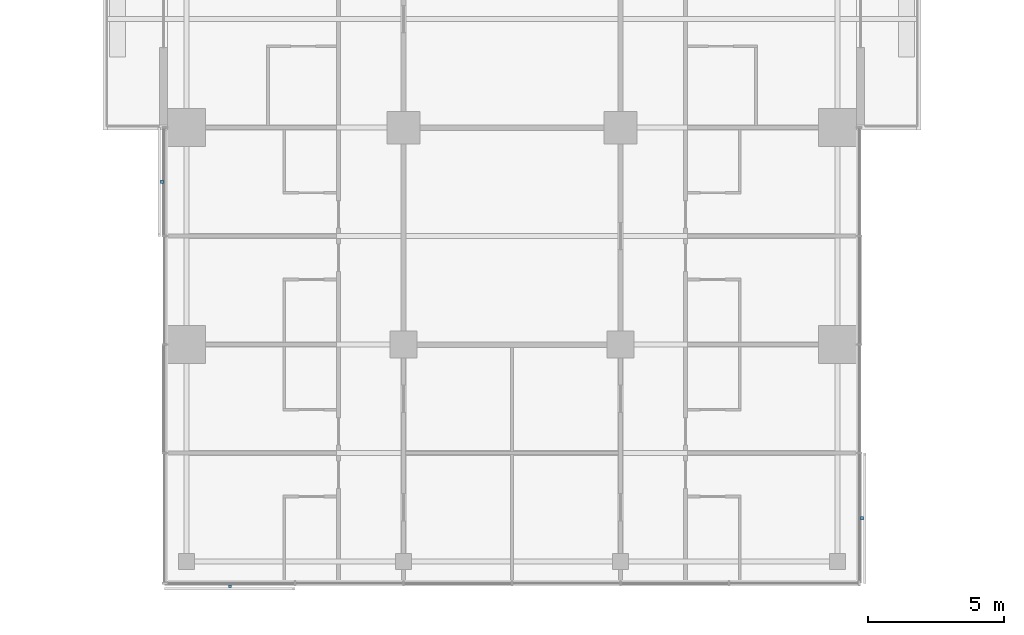
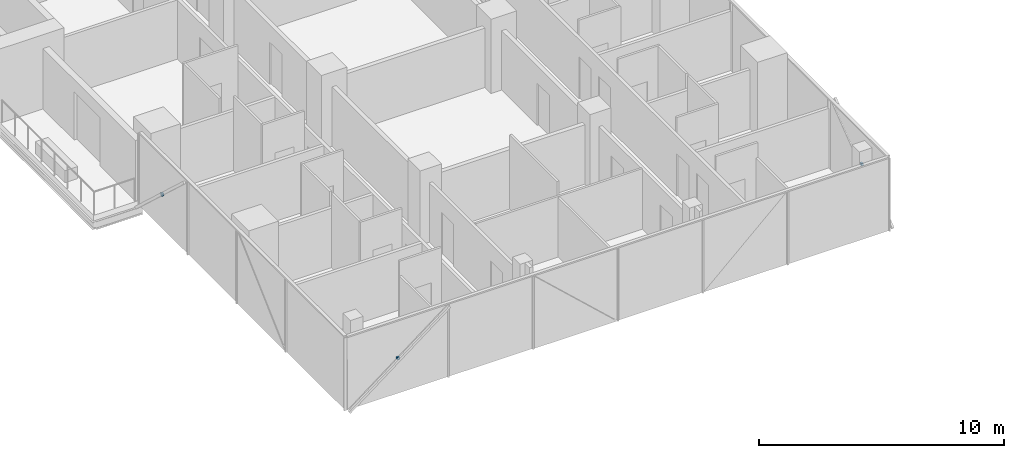
# One storey, part 25 of 29: 3 discrete accessories.
"""IFC4 building model written with IfcOpenShell, lengths in metres."""

from ifc_helpers import new_model, si_unit, direction, frame, origin, origin_2d, place, context, subcontext, project, spatial, rectangle, extrude, material, type_object, element, save


model = new_model("IFC4")

# Units and contexts
model_context = context("Model", 3, precision=1e-05, world=origin(), true_north=direction((0.0, 1.0)))
body_context = subcontext(model_context, "Body", "Model", "MODEL_VIEW")
ifc_project = project(units=[si_unit("LENGTHUNIT", "METRE"), si_unit("AREAUNIT", "SQUARE_METRE"), si_unit("VOLUMEUNIT", "CUBIC_METRE"), si_unit("PLANEANGLEUNIT", "RADIAN"), si_unit("MASSUNIT", "GRAM", prefix="KILO")], contexts=[model_context])

# Site, building, storey
site_placement = place(None, origin())
site = spatial("IfcSite", under=ifc_project, at=site_placement, CompositionType="ELEMENT")
building_placement = place(site_placement, origin())
building = spatial("IfcBuilding", under=site, at=building_placement, Name="Crosswind Convention Tower", CompositionType="ELEMENT")
storey_placement = place(building_placement, frame((0.0, 0.0, 60.89990234375)))
storey = spatial("IfcBuildingStorey", under=building, at=storey_placement, Name="L09", CompositionType="ELEMENT", Elevation=60.89990234375)

# Discrete accessories
ifc_material = material(Name="Stainless steel", Category="steel")
discrete_accessory_type = type_object("IfcDiscreteAccessoryType", Name="BAGUETTE BRACKET BK2", PredefinedType="BRACKET", material=ifc_material)
for number, where, z_axis, x_axis, name in (
    (1, (112.092041015625, 78.0, 1.4775390625), (0.0, 0.0, 1.0), (0.0, -1.0, 0.0), "BK2 baguette bracket"),
    (2, (114.60009765625, 63.092041015625, 1.4775390625), (0.0, 0.0, 1.0), (1.0, 0.0, 0.0), "BK2 baguette bracket"),
    (3, (137.907958984375, 65.60009765625, 1.4775390625), (0.0, 0.0, 1.0), (0.0, 1.0, 0.0), "BK2 baguette bracket"),
):
    element("IfcDiscreteAccessory", number, at=place(storey_placement, frame(where, z_axis=z_axis, x_axis=x_axis)), inside=storey, type_object=discrete_accessory_type, Name=name, PredefinedType="BRACKET", context=body_context, shape_type="SweptSolid", body=[
        extrude(rectangle(XDim=0.1201171875, YDim=0.10009765625, at=origin_2d()), origin(), (0.0, 0.0, 1.0), 0.1201171875),
    ])

save(model, "model.ifc")
